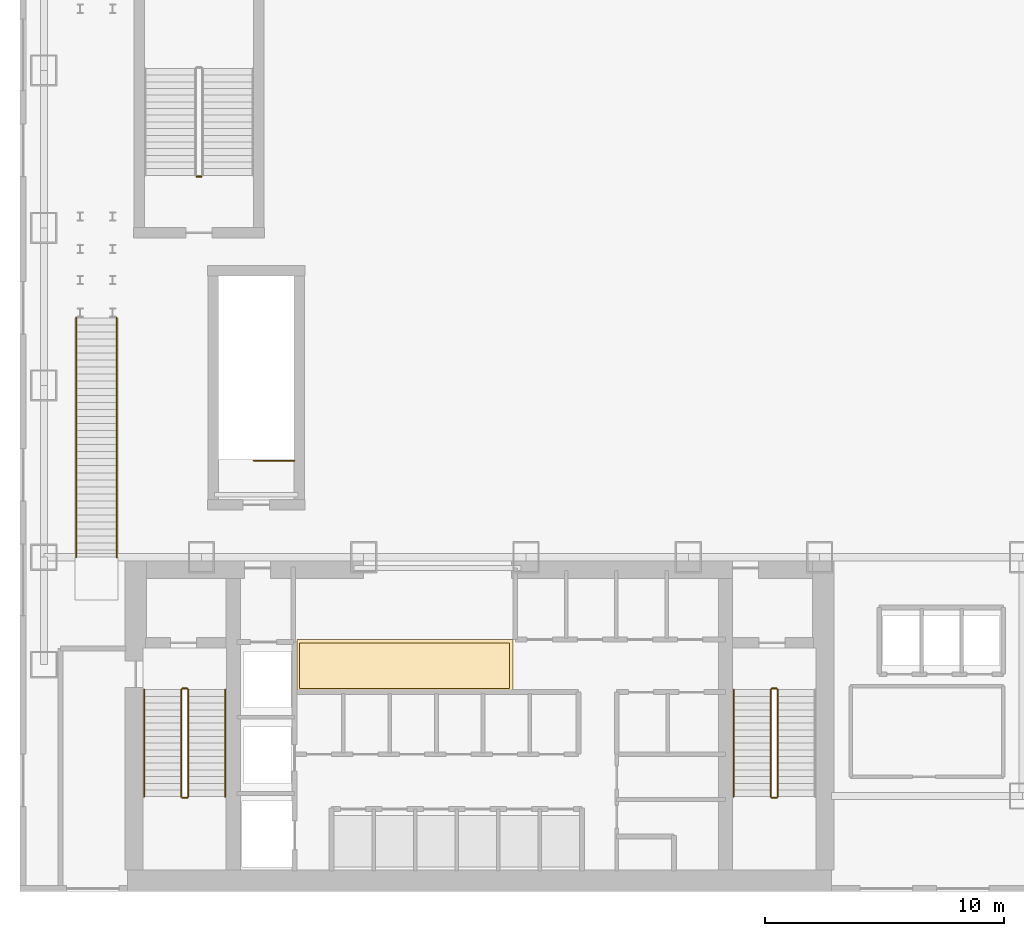
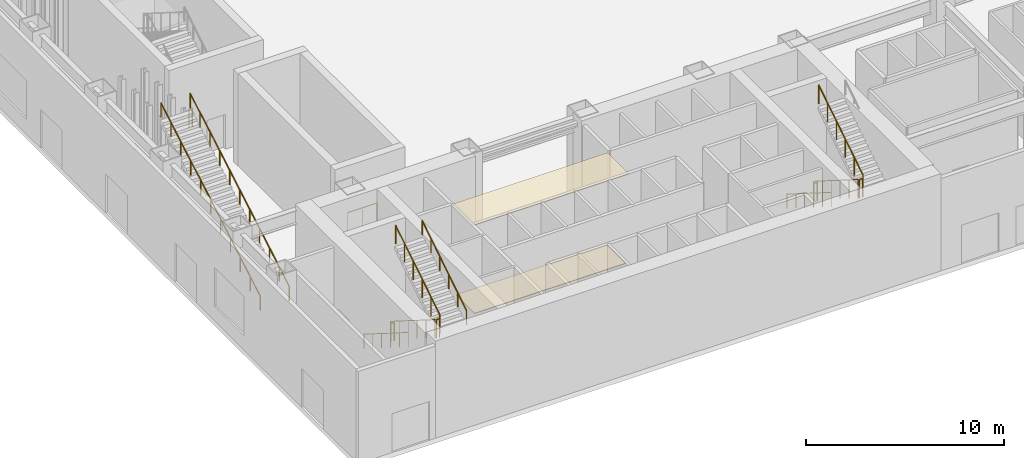
# One storey, part 17 of 25: 15 railings, 2 coverings.
"""IFC4 building model written with IfcOpenShell, lengths in metres."""

from ifc_helpers import new_model, si_unit, derived_unit, direction, frame, origin, origin_2d, place, context, subcontext, project, spatial, polyline, circle, outline, extrude, material, layer, layer_set, type_object, element, save


model = new_model("IFC4")

# Units and contexts
model_context = context("Model", 3, precision=1e-05, world=origin(), true_north=direction((0.0, 1.0)))
body_context = subcontext(model_context, "Body", "Model", "MODEL_VIEW")
ifc_project = project(units=[si_unit("LENGTHUNIT", "METRE"), si_unit("AREAUNIT", "SQUARE_METRE"), si_unit("VOLUMEUNIT", "CUBIC_METRE"), si_unit("PLANEANGLEUNIT", "RADIAN"), si_unit("MASSUNIT", "GRAM", prefix="KILO"), derived_unit("THERMALTRANSMITTANCEUNIT", [(si_unit("POWERUNIT", "WATT"), 1), (si_unit("LENGTHUNIT", "METRE"), -2), (si_unit("THERMODYNAMICTEMPERATUREUNIT", "KELVIN"), -1)])], contexts=[model_context])

# Site, building, storey
site_placement = place(None, origin())
site = spatial("IfcSite", under=ifc_project, at=site_placement, CompositionType="ELEMENT")
building_placement = place(site_placement, origin())
building = spatial("IfcBuilding", under=site, at=building_placement, Name="Skarnbrae Concourse Arena and Tower", CompositionType="ELEMENT")
storey_placement = place(building_placement, origin())
storey = spatial("IfcBuildingStorey", under=building, at=storey_placement, Name="L00", CompositionType="ELEMENT", Elevation=0.0)

# Coverings
ifc_material_1 = material(Name="Mineral fibre acoustic ceiling tile", Category="other")
ifc_layer_1 = layer(ifc_material_1, 0.0400390625)
ifc_layer_set_1 = layer_set([ifc_layer_1], Name="Mineral fibre acoustic ceiling tile")
covering_type_1 = type_object("IfcCoveringType", Name="COV-CEIL-ACOUSTIC", PredefinedType="CEILING", material=ifc_layer_set_1)
covering_1_placement = place(storey_placement, frame((0.0, 0.0, 5.5400390625)))
element("IfcCovering", 1, at=covering_1_placement, inside=storey, type_object=covering_type_1, Name="L00 Lift lobby acoustic ceiling", PredefinedType="CEILING", context=body_context, shape_type="SweptSolid", body=[
    extrude(outline(polyline([(11.60009765625, 8.39990234375), (20.64990234375, 8.39990234375), (20.64990234375, 10.550048828125), (11.60009765625, 10.550048828125), (11.60009765625, 8.39990234375)])), origin(), (0.0, 0.0, 1.0), 0.0400390625),
])
ifc_material_2 = material(Name="Polished granite terrazzo flooring", Category="masonry")
ifc_layer_2 = layer(ifc_material_2, 0.0400390625)
ifc_layer_set_2 = layer_set([ifc_layer_2], Name="Polished granite terrazzo flooring")
covering_type_2 = type_object("IfcCoveringType", Name="COV-FLOOR-TERRAZZO", PredefinedType="FLOORING", material=ifc_layer_set_2)
covering_2_placement = place(storey_placement, origin())
element("IfcCovering", 2, at=covering_2_placement, inside=storey, type_object=covering_type_2, Name="L00 Lift lobby terrazzo flooring", PredefinedType="FLOORING", context=body_context, shape_type="SweptSolid", body=[
    extrude(outline(polyline([(11.699951171875, 8.5), (20.5, 8.5), (20.5, 10.39990234375), (11.699951171875, 10.39990234375), (11.699951171875, 8.5)])), origin(), (0.0, 0.0, 1.0), 0.0400390625),
])

# Railings
ifc_material_3 = material(Name="Steel CSA G40.21 350W", Category="steel")
railing_type_1 = type_object("IfcRailingType", Name="RAIL-HANDRAIL-900", PredefinedType="HANDRAIL", material=ifc_material_3)
railing_1_placement = place(storey_placement, frame((5.199951171875, 8.449951171875, 0.176513671875)))
element("IfcRailing", 3, at=railing_1_placement, inside=storey, type_object=railing_type_1, Name="L00 ST-1 stair handrail 1", PredefinedType="HANDRAIL", context=body_context, shape_type="SweptSolid", body=[
    extrude(circle(Radius=0.02392578125, at=origin_2d()), frame((0.0, 0.0, 0.8759765625), z_axis=(0.0, -0.845997938375, 0.533186166611), x_axis=(1.0, 0.0, 0.0)), (0.0, 0.0, 1.0), 5.29541015625),
    extrude(circle(Radius=0.02099609375, at=origin_2d()), origin(), (0.0, 0.0, 1.0), 0.851806640625),
    extrude(circle(Radius=0.02099609375, at=origin_2d()), frame((0.0, -0.89599609375, 0.564697265625)), (0.0, 0.0, 1.0), 0.851806640625),
    extrude(circle(Radius=0.02099609375, at=origin_2d()), frame((0.0, -1.7919921875, 1.12939453125)), (0.0, 0.0, 1.0), 0.851806640625),
    extrude(circle(Radius=0.02099609375, at=origin_2d()), frame((0.0, -2.68798828125, 1.694091796875)), (0.0, 0.0, 1.0), 0.851806640625),
    extrude(circle(Radius=0.02099609375, at=origin_2d()), frame((0.0, -3.583984375, 2.2587890625)), (0.0, 0.0, 1.0), 0.851806640625),
    extrude(circle(Radius=0.02099609375, at=origin_2d()), frame((0.0, -4.47998046875, 2.823486328125)), (0.0, 0.0, 1.0), 0.851806640625),
])
railing_2_placement = place(storey_placement, frame((8.60009765625, 3.969970703125, 3.176513671875)))
element("IfcRailing", 4, at=railing_2_placement, inside=storey, type_object=railing_type_1, Name="L00 ST-1 stair handrail 2", PredefinedType="HANDRAIL", context=body_context, shape_type="SweptSolid", body=[
    extrude(circle(Radius=0.02392578125, at=origin_2d()), frame((0.0, 0.0, 0.8759765625), z_axis=(0.0, 0.845997938375, 0.533186166611), x_axis=(-1.0, 0.0, 0.0)), (0.0, 0.0, 1.0), 5.29541015625),
    extrude(circle(Radius=0.02099609375, at=origin_2d()), origin(), (0.0, 0.0, 1.0), 0.851806640625),
    extrude(circle(Radius=0.02099609375, at=origin_2d()), frame((0.0, 0.89599609375, 0.564697265625)), (0.0, 0.0, 1.0), 0.851806640625),
    extrude(circle(Radius=0.02099609375, at=origin_2d()), frame((0.0, 1.7919921875, 1.12939453125)), (0.0, 0.0, 1.0), 0.851806640625),
    extrude(circle(Radius=0.02099609375, at=origin_2d()), frame((0.0, 2.68798828125, 1.694091796875)), (0.0, 0.0, 1.0), 0.851806640625),
    extrude(circle(Radius=0.02099609375, at=origin_2d()), frame((0.0, 3.583984375, 2.2587890625)), (0.0, 0.0, 1.0), 0.851806640625),
    extrude(circle(Radius=0.02099609375, at=origin_2d()), frame((0.0, 4.47998046875, 2.823486328125)), (0.0, 0.0, 1.0), 0.851806640625),
])
railing_3_placement = place(storey_placement, frame((29.89990234375, 8.449951171875, 0.176513671875)))
element("IfcRailing", 5, at=railing_3_placement, inside=storey, type_object=railing_type_1, Name="L00 ST-2 stair handrail 1", PredefinedType="HANDRAIL", context=body_context, shape_type="SweptSolid", body=[
    extrude(circle(Radius=0.02392578125, at=origin_2d()), frame((0.0, 0.0, 0.8759765625), z_axis=(0.0, -0.845997938375, 0.533186166611), x_axis=(1.0, 0.0, 0.0)), (0.0, 0.0, 1.0), 5.29541015625),
    extrude(circle(Radius=0.02099609375, at=origin_2d()), origin(), (0.0, 0.0, 1.0), 0.851806640625),
    extrude(circle(Radius=0.02099609375, at=origin_2d()), frame((0.0, -0.89599609375, 0.564697265625)), (0.0, 0.0, 1.0), 0.851806640625),
    extrude(circle(Radius=0.02099609375, at=origin_2d()), frame((0.0, -1.7919921875, 1.12939453125)), (0.0, 0.0, 1.0), 0.851806640625),
    extrude(circle(Radius=0.02099609375, at=origin_2d()), frame((0.0, -2.68798828125, 1.694091796875)), (0.0, 0.0, 1.0), 0.851806640625),
    extrude(circle(Radius=0.02099609375, at=origin_2d()), frame((0.0, -3.583984375, 2.2587890625)), (0.0, 0.0, 1.0), 0.851806640625),
    extrude(circle(Radius=0.02099609375, at=origin_2d()), frame((0.0, -4.47998046875, 2.823486328125)), (0.0, 0.0, 1.0), 0.851806640625),
])
for number, where, name in (
    (6, (2.35009765625, 14.0, 0.17138671875), "ST-CONC-2 Handrail W L00"),
    (7, (4.050048828125, 14.0, 0.17138671875), "ST-CONC-2 Handrail E L00"),
):
    element("IfcRailing", number, at=place(storey_placement, frame(where)), inside=storey, type_object=railing_type_1, Name=name, PredefinedType="HANDRAIL", context=body_context, shape_type="SweptSolid", body=[
        extrude(circle(Radius=0.02392578125, at=origin_2d()), frame((0.0, 0.0, 0.8759765625), z_axis=(0.0, 0.864612012544, 0.502440113611), x_axis=(-1.0, 0.0, 0.0)), (0.0, 0.0, 1.0), 11.6005859375),
        extrude(circle(Radius=0.02099609375, at=origin_2d()), origin(), (0.0, 0.0, 1.0), 0.851806640625),
        extrude(circle(Radius=0.02099609375, at=origin_2d()), frame((0.0, 1.0029296875, 0.582763671875)), (0.0, 0.0, 1.0), 0.851806640625),
        extrude(circle(Radius=0.02099609375, at=origin_2d()), frame((0.0, 2.006103515625, 1.165771484375)), (0.0, 0.0, 1.0), 0.851806640625),
        extrude(circle(Radius=0.02099609375, at=origin_2d()), frame((0.0, 3.009033203125, 1.74853515625)), (0.0, 0.0, 1.0), 0.851806640625),
        extrude(circle(Radius=0.02099609375, at=origin_2d()), frame((0.0, 4.011962890625, 2.33154296875)), (0.0, 0.0, 1.0), 0.851806640625),
        extrude(circle(Radius=0.02099609375, at=origin_2d()), frame((0.0, 5.01513671875, 2.914306640625)), (0.0, 0.0, 1.0), 0.851806640625),
        extrude(circle(Radius=0.02099609375, at=origin_2d()), frame((0.0, 6.01806640625, 3.4970703125)), (0.0, 0.0, 1.0), 0.851806640625),
        extrude(circle(Radius=0.02099609375, at=origin_2d()), frame((0.0, 7.02099609375, 4.080078125)), (0.0, 0.0, 1.0), 0.851806640625),
        extrude(circle(Radius=0.02099609375, at=origin_2d()), frame((0.0, 8.02392578125, 4.662841796875)), (0.0, 0.0, 1.0), 0.851806640625),
        extrude(circle(Radius=0.02099609375, at=origin_2d()), frame((0.0, 9.027099609375, 5.245849609375)), (0.0, 0.0, 1.0), 0.851806640625),
        extrude(circle(Radius=0.02099609375, at=origin_2d()), frame((0.0, 10.030029296875, 5.82861328125)), (0.0, 0.0, 1.0), 0.851806640625),
    ])
railing_type_2 = type_object("IfcRailingType", Name="RAIL-STAIR-GUARD-1150", PredefinedType="GUARDRAIL", material=ifc_material_3)
railing_4_placement = place(storey_placement, frame((6.75, 8.449951171875, 0.176513671875)))
element("IfcRailing", 8, at=railing_4_placement, inside=storey, type_object=railing_type_2, Name="L00 ST-1 stair guard 1", PredefinedType="GUARDRAIL", context=body_context, shape_type="SweptSolid", body=[
    extrude(circle(Radius=0.02392578125, at=origin_2d()), frame((0.0, 0.0, 1.1259765625), z_axis=(0.0, -0.845997938375, 0.533186166611), x_axis=(1.0, 0.0, 0.0)), (0.0, 0.0, 1.0), 5.29541015625),
    extrude(circle(Radius=0.02099609375, at=origin_2d()), origin(), (0.0, 0.0, 1.0), 1.101806640625),
    extrude(circle(Radius=0.02099609375, at=origin_2d()), frame((0.0, -0.89599609375, 0.564697265625)), (0.0, 0.0, 1.0), 1.101806640625),
    extrude(circle(Radius=0.02099609375, at=origin_2d()), frame((0.0, -1.7919921875, 1.12939453125)), (0.0, 0.0, 1.0), 1.101806640625),
    extrude(circle(Radius=0.02099609375, at=origin_2d()), frame((0.0, -2.68798828125, 1.694091796875)), (0.0, 0.0, 1.0), 1.101806640625),
    extrude(circle(Radius=0.02099609375, at=origin_2d()), frame((0.0, -3.583984375, 2.2587890625)), (0.0, 0.0, 1.0), 1.101806640625),
    extrude(circle(Radius=0.02099609375, at=origin_2d()), frame((0.0, -4.47998046875, 2.823486328125)), (0.0, 0.0, 1.0), 1.101806640625),
])
railing_5_placement = place(storey_placement, frame((6.800048828125, 3.919921875, 3.0)))
element("IfcRailing", 9, at=railing_5_placement, inside=storey, type_object=railing_type_2, Name="L00 ST-1 stair guard 2", PredefinedType="GUARDRAIL", context=body_context, shape_type="SweptSolid", body=[
    extrude(circle(Radius=0.02392578125, at=origin_2d()), frame((0.0, 0.0, 1.1259765625), z_axis=(1.0, 0.0, 0.0), x_axis=(0.0, 1.0, 0.0)), (0.0, 0.0, 1.0), 0.199951171875),
    extrude(circle(Radius=0.02099609375, at=origin_2d()), origin(), (0.0, 0.0, 1.0), 1.101806640625),
    extrude(circle(Radius=0.02099609375, at=origin_2d()), frame((0.199951171875, 0.0, 0.0)), (0.0, 0.0, 1.0), 1.101806640625),
])
railing_6_placement = place(storey_placement, frame((7.050048828125, 3.969970703125, 3.176513671875)))
element("IfcRailing", 10, at=railing_6_placement, inside=storey, type_object=railing_type_2, Name="L00 ST-1 stair guard 3", PredefinedType="GUARDRAIL", context=body_context, shape_type="SweptSolid", body=[
    extrude(circle(Radius=0.02392578125, at=origin_2d()), frame((0.0, 0.0, 1.1259765625), z_axis=(0.0, 0.845997938375, 0.533186166611), x_axis=(-1.0, 0.0, 0.0)), (0.0, 0.0, 1.0), 5.29541015625),
    extrude(circle(Radius=0.02099609375, at=origin_2d()), origin(), (0.0, 0.0, 1.0), 1.101806640625),
    extrude(circle(Radius=0.02099609375, at=origin_2d()), frame((0.0, 0.89599609375, 0.564697265625)), (0.0, 0.0, 1.0), 1.101806640625),
    extrude(circle(Radius=0.02099609375, at=origin_2d()), frame((0.0, 1.7919921875, 1.12939453125)), (0.0, 0.0, 1.0), 1.101806640625),
    extrude(circle(Radius=0.02099609375, at=origin_2d()), frame((0.0, 2.68798828125, 1.694091796875)), (0.0, 0.0, 1.0), 1.101806640625),
    extrude(circle(Radius=0.02099609375, at=origin_2d()), frame((0.0, 3.583984375, 2.2587890625)), (0.0, 0.0, 1.0), 1.101806640625),
    extrude(circle(Radius=0.02099609375, at=origin_2d()), frame((0.0, 4.47998046875, 2.823486328125)), (0.0, 0.0, 1.0), 1.101806640625),
])
railing_7_placement = place(storey_placement, frame((6.800048828125, 8.5, 0.0)))
element("IfcRailing", 11, at=railing_7_placement, inside=storey, type_object=railing_type_2, Name="L00 ST-1 stair guard 4", PredefinedType="GUARDRAIL", context=body_context, shape_type="SweptSolid", body=[
    extrude(circle(Radius=0.02392578125, at=origin_2d()), frame((0.0, 0.0, 1.1259765625), z_axis=(1.0, 0.0, 0.0), x_axis=(0.0, 1.0, 0.0)), (0.0, 0.0, 1.0), 0.199951171875),
    extrude(circle(Radius=0.02099609375, at=origin_2d()), origin(), (0.0, 0.0, 1.0), 1.101806640625),
    extrude(circle(Radius=0.02099609375, at=origin_2d()), frame((0.199951171875, 0.0, 0.0)), (0.0, 0.0, 1.0), 1.101806640625),
])
railing_8_placement = place(storey_placement, frame((31.449951171875, 8.449951171875, 0.176513671875)))
element("IfcRailing", 12, at=railing_8_placement, inside=storey, type_object=railing_type_2, Name="L00 ST-2 stair guard 1", PredefinedType="GUARDRAIL", context=body_context, shape_type="SweptSolid", body=[
    extrude(circle(Radius=0.02392578125, at=origin_2d()), frame((0.0, 0.0, 1.1259765625), z_axis=(0.0, -0.845997938375, 0.533186166611), x_axis=(1.0, 0.0, 0.0)), (0.0, 0.0, 1.0), 5.29541015625),
    extrude(circle(Radius=0.02099609375, at=origin_2d()), origin(), (0.0, 0.0, 1.0), 1.101806640625),
    extrude(circle(Radius=0.02099609375, at=origin_2d()), frame((0.0, -0.89599609375, 0.564697265625)), (0.0, 0.0, 1.0), 1.101806640625),
    extrude(circle(Radius=0.02099609375, at=origin_2d()), frame((0.0, -1.7919921875, 1.12939453125)), (0.0, 0.0, 1.0), 1.101806640625),
    extrude(circle(Radius=0.02099609375, at=origin_2d()), frame((0.0, -2.68798828125, 1.694091796875)), (0.0, 0.0, 1.0), 1.101806640625),
    extrude(circle(Radius=0.02099609375, at=origin_2d()), frame((0.0, -3.583984375, 2.2587890625)), (0.0, 0.0, 1.0), 1.101806640625),
    extrude(circle(Radius=0.02099609375, at=origin_2d()), frame((0.0, -4.47998046875, 2.823486328125)), (0.0, 0.0, 1.0), 1.101806640625),
])
railing_9_placement = place(storey_placement, frame((31.5, 3.919921875, 3.0)))
element("IfcRailing", 13, at=railing_9_placement, inside=storey, type_object=railing_type_2, Name="L00 ST-2 stair guard 2", PredefinedType="GUARDRAIL", context=body_context, shape_type="SweptSolid", body=[
    extrude(circle(Radius=0.02392578125, at=origin_2d()), frame((0.0, 0.0, 1.1259765625), z_axis=(1.0, 0.0, 0.0), x_axis=(0.0, 1.0, 0.0)), (0.0, 0.0, 1.0), 0.199951171875),
    extrude(circle(Radius=0.02099609375, at=origin_2d()), origin(), (0.0, 0.0, 1.0), 1.101806640625),
    extrude(circle(Radius=0.02099609375, at=origin_2d()), frame((0.199951171875, 0.0, 0.0)), (0.0, 0.0, 1.0), 1.101806640625),
])
railing_10_placement = place(storey_placement, frame((31.75, 3.969970703125, 3.176513671875)))
element("IfcRailing", 14, at=railing_10_placement, inside=storey, type_object=railing_type_2, Name="L00 ST-2 stair guard 3", PredefinedType="GUARDRAIL", context=body_context, shape_type="SweptSolid", body=[
    extrude(circle(Radius=0.02392578125, at=origin_2d()), frame((0.0, 0.0, 1.1259765625), z_axis=(0.0, 0.845997938375, 0.533186166611), x_axis=(-1.0, 0.0, 0.0)), (0.0, 0.0, 1.0), 5.29541015625),
    extrude(circle(Radius=0.02099609375, at=origin_2d()), origin(), (0.0, 0.0, 1.0), 1.101806640625),
    extrude(circle(Radius=0.02099609375, at=origin_2d()), frame((0.0, 0.89599609375, 0.564697265625)), (0.0, 0.0, 1.0), 1.101806640625),
    extrude(circle(Radius=0.02099609375, at=origin_2d()), frame((0.0, 1.7919921875, 1.12939453125)), (0.0, 0.0, 1.0), 1.101806640625),
    extrude(circle(Radius=0.02099609375, at=origin_2d()), frame((0.0, 2.68798828125, 1.694091796875)), (0.0, 0.0, 1.0), 1.101806640625),
    extrude(circle(Radius=0.02099609375, at=origin_2d()), frame((0.0, 3.583984375, 2.2587890625)), (0.0, 0.0, 1.0), 1.101806640625),
    extrude(circle(Radius=0.02099609375, at=origin_2d()), frame((0.0, 4.47998046875, 2.823486328125)), (0.0, 0.0, 1.0), 1.101806640625),
])
railing_11_placement = place(storey_placement, frame((31.5, 8.5, 0.0)))
element("IfcRailing", 15, at=railing_11_placement, inside=storey, type_object=railing_type_2, Name="L00 ST-2 stair guard 4", PredefinedType="GUARDRAIL", context=body_context, shape_type="SweptSolid", body=[
    extrude(circle(Radius=0.02392578125, at=origin_2d()), frame((0.0, 0.0, 1.1259765625), z_axis=(1.0, 0.0, 0.0), x_axis=(0.0, 1.0, 0.0)), (0.0, 0.0, 1.0), 0.199951171875),
    extrude(circle(Radius=0.02099609375, at=origin_2d()), origin(), (0.0, 0.0, 1.0), 1.101806640625),
    extrude(circle(Radius=0.02099609375, at=origin_2d()), frame((0.199951171875, 0.0, 0.0)), (0.0, 0.0, 1.0), 1.101806640625),
])
railing_12_placement = place(storey_placement, frame((7.60009765625, 29.949951171875, 0.0)))
element("IfcRailing", 16, at=railing_12_placement, inside=storey, type_object=railing_type_2, Name="L00 ST-A3 stair guard 4", PredefinedType="GUARDRAIL", context=body_context, shape_type="SweptSolid", body=[
    extrude(circle(Radius=0.02392578125, at=origin_2d()), frame((0.0, 0.0, 1.1259765625), z_axis=(-1.0, 0.0, 0.0), x_axis=(0.0, -1.0, 0.0)), (0.0, 0.0, 1.0), 0.2001953125),
    extrude(circle(Radius=0.02099609375, at=origin_2d()), origin(), (0.0, 0.0, 1.0), 1.101806640625),
    extrude(circle(Radius=0.02099609375, at=origin_2d()), frame((-0.2001953125, 0.0, 0.0)), (0.0, 0.0, 1.0), 1.101806640625),
])
railing_13_placement = place(storey_placement, frame((11.5, 18.050048828125, 0.0)))
element("IfcRailing", 17, at=railing_13_placement, inside=storey, type_object=railing_type_2, Name="L00 ST-B3 top well guard 1", PredefinedType="GUARDRAIL", context=body_context, shape_type="SweptSolid", body=[
    extrude(circle(Radius=0.02392578125, at=origin_2d()), frame((0.0, 0.0, 1.1259765625), z_axis=(-1.0, 0.0, 0.0), x_axis=(0.0, -1.0, 0.0)), (0.0, 0.0, 1.0), 1.699951171875),
    extrude(circle(Radius=0.02099609375, at=origin_2d()), origin(), (0.0, 0.0, 1.0), 1.101806640625),
    extrude(circle(Radius=0.02099609375, at=origin_2d()), frame((-0.85009765625, 0.0, 0.0)), (0.0, 0.0, 1.0), 1.101806640625),
    extrude(circle(Radius=0.02099609375, at=origin_2d()), frame((-1.699951171875, 0.0, 0.0)), (0.0, 0.0, 1.0), 1.101806640625),
])

save(model, "model.ifc")
